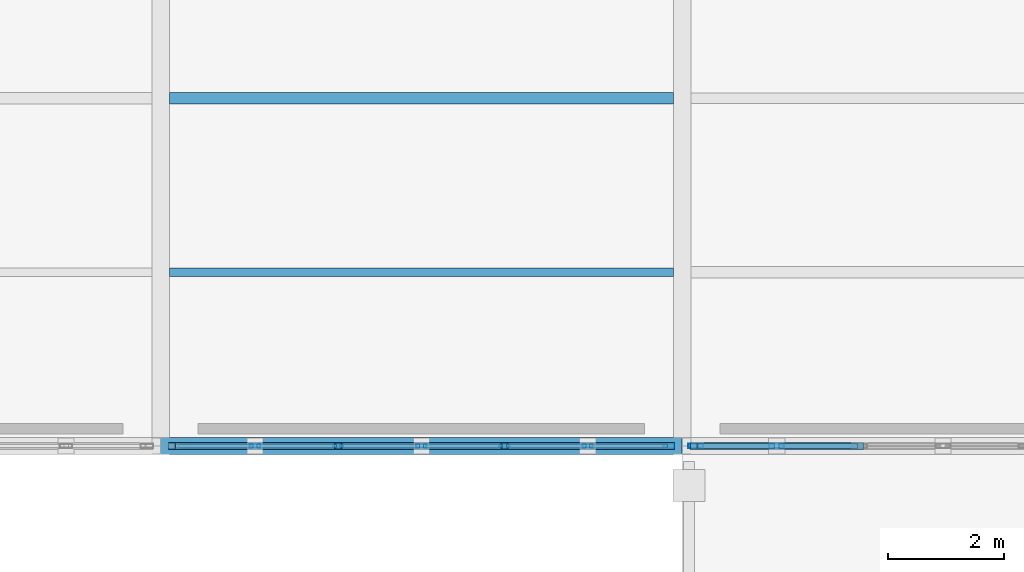
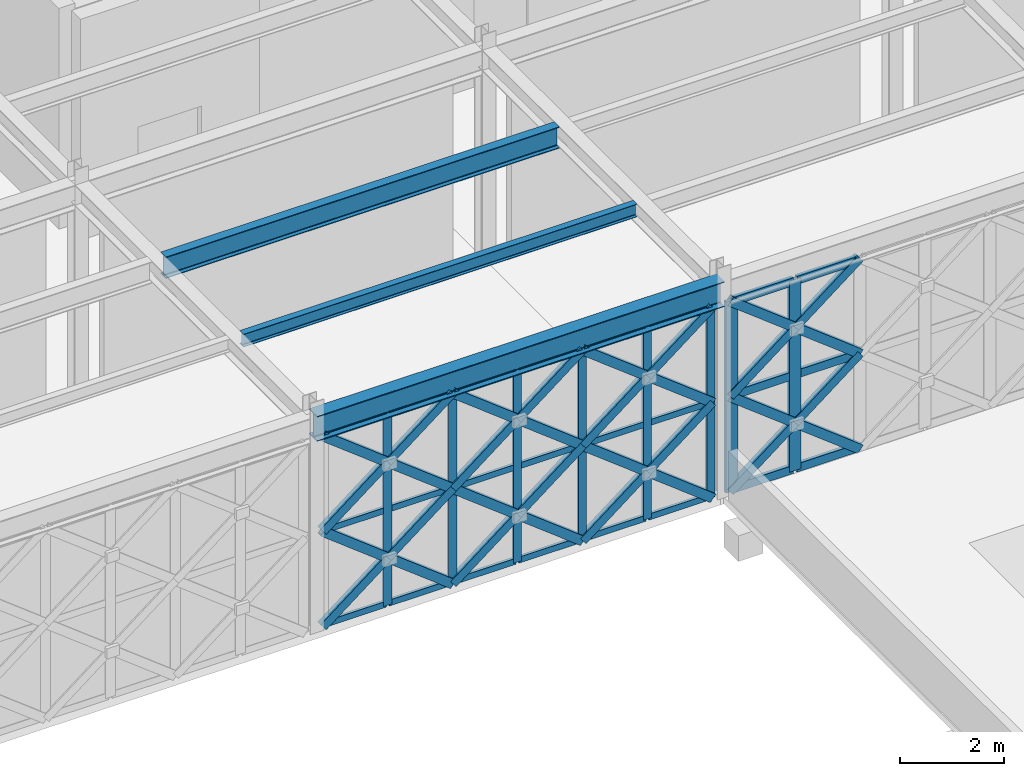
# One storey, part 103 of 155: 56 members, 3 beams, 2 elements without a shape of their own.
"""IFC4 building model written with IfcOpenShell, lengths in metres."""

from ifc_helpers import new_model, si_unit, direction, frame, origin, origin_2d, place, context, subcontext, project, spatial, hollow_rectangle, i_section, extrude, material, material_profile, profile_set, type_object, element, aggregate, save


model = new_model("IFC4")

# Units and contexts
model_context = context("Model", 3, precision=1e-05, world=origin(), true_north=direction((0.0, 1.0)))
body_context = subcontext(model_context, "Body", "Model", "MODEL_VIEW")
ifc_project = project(units=[si_unit("LENGTHUNIT", "METRE"), si_unit("AREAUNIT", "SQUARE_METRE"), si_unit("VOLUMEUNIT", "CUBIC_METRE"), si_unit("PLANEANGLEUNIT", "RADIAN"), si_unit("MASSUNIT", "GRAM", prefix="KILO")], contexts=[model_context])

# Site, building, storey
site_placement = place(None, origin())
site = spatial("IfcSite", under=ifc_project, at=site_placement, CompositionType="ELEMENT")
building_placement = place(site_placement, origin())
building = spatial("IfcBuilding", under=site, at=building_placement, Name="Haizhuo Lancet Aquarium", CompositionType="ELEMENT")
storey_placement = place(building_placement, frame((0.0, 0.0, 10.800048828125)))
storey = spatial("IfcBuildingStorey", under=building, at=storey_placement, Name="L02", CompositionType="ELEMENT", Elevation=10.800048828125)

# Beam
ifc_material_1 = material(Name="Steel S355", Category="steel")
ifc_material_profile_1 = material_profile(ifc_material_1, i_section(OverallWidth=0.300048828125, OverallDepth=0.587890625, WebThickness=0.011962890625, FlangeThickness=0.02001953125, FilletRadius=0.02587890625, at=origin_2d()), Name="HM 588x300x12x20")
ifc_profile_set_1 = profile_set([ifc_material_profile_1], Name="Steel S355")
beam_type_1 = type_object("IfcBeamType", Name="BM-ST-HM588", PredefinedType="BEAM", material=ifc_profile_set_1)
beam_1_placement = place(storey_placement, frame((45.0, 9.0, 4.755859375), z_axis=(1.0, 0.0, 0.0), x_axis=(0.0, 1.0, 0.0)))
element("IfcBeam", 1, at=beam_1_placement, inside=storey, type_object=beam_type_1, Name="L02 V7 primary girder BM-L02-V7-009", PredefinedType="BEAM", context=body_context, shape_type="SweptSolid", body=[
    extrude(i_section(OverallWidth=0.300048828125, OverallDepth=0.587890625, WebThickness=0.011962890625, FlangeThickness=0.02001953125, FilletRadius=0.02587890625, at=origin_2d()), origin(), (0.0, 0.0, 1.0), 9.0),
])

# Curtain wall, members
ifc_material_2 = material(Name="Aluminium 6063-T6", Category="aluminium")
curtain_wall_type = type_object("IfcCurtainWallType", Name="CWO-8610x4460", PredefinedType="NOTDEFINED", material=ifc_material_2)
curtain_wall_1_placement = place(storey_placement, origin())
curtain_wall_1 = element("IfcCurtainWall", 2, at=curtain_wall_1_placement, inside=storey, type_object=curtain_wall_type, Name="L02 curtain wall CW-V7-L02-307", PredefinedType="NOTDEFINED")
ifc_material_profile_2 = material_profile(ifc_material_2, hollow_rectangle(XDim=0.06494140625, YDim=0.179931640625, WallThickness=0.00390625, at=origin_2d()), Name="ALU-M 65x180x4")
ifc_profile_set_2 = profile_set([ifc_material_profile_2], Name="Aluminium 6063-T6")
member_type_1 = type_object("IfcMemberType", Name="CW-MUL-1", PredefinedType="MULLION", material=ifc_profile_set_2)
member_1_placement = place(storey_placement, frame((53.77294921875, 9.0, 0.0), z_axis=(0.0, 0.0, 1.0), x_axis=(0.0, -1.0, 0.0)))
member_1 = element("IfcMember", 3, at=member_1_placement, type_object=member_type_1, Name="CWO-86x44 mullion 1", PredefinedType="MULLION", context=body_context, shape_type="SweptSolid", body=[
    extrude(hollow_rectangle(XDim=0.06494140625, YDim=0.179931640625, WallThickness=0.00390625, at=origin_2d()), origin(), (0.0, 0.0, 1.0), 4.4619140625),
])
member_2_placement = place(storey_placement, frame((52.3701171875, 9.0, 0.0), z_axis=(0.0, 0.0, 1.0), x_axis=(0.0, -1.0, 0.0)))
member_2 = element("IfcMember", 4, at=member_2_placement, type_object=member_type_1, Name="CWO-86x44 mullion 2", PredefinedType="MULLION", context=body_context, shape_type="SweptSolid", body=[
    extrude(hollow_rectangle(XDim=0.06494140625, YDim=0.179931640625, WallThickness=0.00390625, at=origin_2d()), origin(), (0.0, 0.0, 1.0), 4.4619140625),
])
member_3_placement = place(storey_placement, frame((50.93505859375, 9.0, 0.0), z_axis=(0.0, 0.0, 1.0), x_axis=(0.0, -1.0, 0.0)))
member_3 = element("IfcMember", 5, at=member_3_placement, type_object=member_type_1, Name="CWO-86x44 mullion 3", PredefinedType="MULLION", context=body_context, shape_type="SweptSolid", body=[
    extrude(hollow_rectangle(XDim=0.06494140625, YDim=0.179931640625, WallThickness=0.00390625, at=origin_2d()), origin(), (0.0, 0.0, 1.0), 4.4619140625),
])
member_4_placement = place(storey_placement, frame((49.5, 9.0, 0.0), z_axis=(0.0, 0.0, 1.0), x_axis=(0.0, -1.0, 0.0)))
member_4 = element("IfcMember", 6, at=member_4_placement, type_object=member_type_1, Name="CWO-86x44 mullion 4", PredefinedType="MULLION", context=body_context, shape_type="SweptSolid", body=[
    extrude(hollow_rectangle(XDim=0.06494140625, YDim=0.179931640625, WallThickness=0.00390625, at=origin_2d()), origin(), (0.0, 0.0, 1.0), 4.4619140625),
])
member_5_placement = place(storey_placement, frame((48.06494140625, 9.0, 0.0), z_axis=(0.0, 0.0, 1.0), x_axis=(0.0, -1.0, 0.0)))
member_5 = element("IfcMember", 7, at=member_5_placement, type_object=member_type_1, Name="CWO-86x44 mullion 5", PredefinedType="MULLION", context=body_context, shape_type="SweptSolid", body=[
    extrude(hollow_rectangle(XDim=0.06494140625, YDim=0.179931640625, WallThickness=0.00390625, at=origin_2d()), origin(), (0.0, 0.0, 1.0), 4.4619140625),
])
member_6_placement = place(storey_placement, frame((46.6298828125, 9.0, 0.0), z_axis=(0.0, 0.0, 1.0), x_axis=(0.0, -1.0, 0.0)))
member_6 = element("IfcMember", 8, at=member_6_placement, type_object=member_type_1, Name="CWO-86x44 mullion 6", PredefinedType="MULLION", context=body_context, shape_type="SweptSolid", body=[
    extrude(hollow_rectangle(XDim=0.06494140625, YDim=0.179931640625, WallThickness=0.00390625, at=origin_2d()), origin(), (0.0, 0.0, 1.0), 4.4619140625),
])

curtain_wall_2_placement = place(storey_placement, origin())
curtain_wall_2 = element("IfcCurtainWall", 9, at=curtain_wall_2_placement, inside=storey, type_object=curtain_wall_type, Name="L02 curtain wall CW-V7-L02-306", PredefinedType="NOTDEFINED")
ifc_material_profile_3 = material_profile(ifc_material_2, hollow_rectangle(XDim=0.080078125, YDim=0.260009765625, WallThickness=0.0048828125, at=origin_2d()), Name="ALU-M 80x260x5")
ifc_profile_set_3 = profile_set([ifc_material_profile_3], Name="Aluminium 6063-T6")
member_type_2 = type_object("IfcMemberType", Name="CW-MUL-3", PredefinedType="MULLION", material=ifc_profile_set_3)
member_7_placement = place(storey_placement, frame((55.6298828125, 9.0, 0.0), z_axis=(0.0, 0.0, 1.0), x_axis=(0.0, -1.0, 0.0)))
member_7 = element("IfcMember", 10, at=member_7_placement, type_object=member_type_2, Name="CWO-86x44 mullion 6", PredefinedType="MULLION", context=body_context, shape_type="SweptSolid", body=[
    extrude(hollow_rectangle(XDim=0.080078125, YDim=0.260009765625, WallThickness=0.0048828125, at=origin_2d()), origin(), (0.0, 0.0, 1.0), 4.4619140625),
])
member_8_placement = place(storey_placement, frame((54.235107421875, 9.0, 0.0), z_axis=(0.0, 0.0, 1.0), x_axis=(0.0, -1.0, 0.0)))
member_8 = element("IfcMember", 11, at=member_8_placement, type_object=member_type_2, Name="CWO-86x44 mullion 7", PredefinedType="MULLION", context=body_context, shape_type="SweptSolid", body=[
    extrude(hollow_rectangle(XDim=0.080078125, YDim=0.260009765625, WallThickness=0.0048828125, at=origin_2d()), origin(), (0.0, 0.0, 1.0), 4.4619140625),
])

# Member
ifc_material_profile_4 = material_profile(ifc_material_2, hollow_rectangle(XDim=0.06494140625, YDim=0.139892578125, WallThickness=0.00390625, at=origin_2d()), Name="ALU-T 65x140x4")
ifc_profile_set_4 = profile_set([ifc_material_profile_4], Name="Aluminium 6063-T6")
member_type_3 = type_object("IfcMemberType", Name="CW-TRN-1", PredefinedType="NOTDEFINED", material=ifc_profile_set_4)
member_9_placement = place(storey_placement, frame((53.739990234375, 9.0, 0.032958984375), z_axis=(-1.0, 0.0, 0.0), x_axis=(0.0, -1.0, 0.0)))
member_9 = element("IfcMember", 12, at=member_9_placement, type_object=member_type_3, Name="CWO-86x44 transom 1.1", ObjectType="TRANSOM", PredefinedType="USERDEFINED", context=body_context, shape_type="SweptSolid", body=[
    extrude(hollow_rectangle(XDim=0.06494140625, YDim=0.139892578125, WallThickness=0.00390625, at=origin_2d()), origin(), (0.0, 0.0, 1.0), 1.3369140625),
])

member_10_placement = place(storey_placement, frame((53.739990234375, 9.0, 2.23095703125), z_axis=(-1.0, 0.0, 0.0), x_axis=(0.0, -1.0, 0.0)))
member_10 = element("IfcMember", 13, at=member_10_placement, type_object=member_type_3, Name="CWO-86x44 transom 1.2", ObjectType="TRANSOM", PredefinedType="USERDEFINED", context=body_context, shape_type="SweptSolid", body=[
    extrude(hollow_rectangle(XDim=0.06494140625, YDim=0.139892578125, WallThickness=0.00390625, at=origin_2d()), origin(), (0.0, 0.0, 1.0), 1.3369140625),
])

member_11_placement = place(storey_placement, frame((53.739990234375, 9.0, 4.428955078125), z_axis=(-1.0, 0.0, 0.0), x_axis=(0.0, -1.0, 0.0)))
member_11 = element("IfcMember", 14, at=member_11_placement, type_object=member_type_3, Name="CWO-86x44 transom 1.3", ObjectType="TRANSOM", PredefinedType="USERDEFINED", context=body_context, shape_type="SweptSolid", body=[
    extrude(hollow_rectangle(XDim=0.06494140625, YDim=0.139892578125, WallThickness=0.00390625, at=origin_2d()), origin(), (0.0, 0.0, 1.0), 1.3369140625),
])

member_12_placement = place(storey_placement, frame((52.3369140625, 9.0, 0.032958984375), z_axis=(-1.0, 0.0, 0.0), x_axis=(0.0, -1.0, 0.0)))
member_12 = element("IfcMember", 15, at=member_12_placement, type_object=member_type_3, Name="CWO-86x44 transom 2.1", ObjectType="TRANSOM", PredefinedType="USERDEFINED", context=body_context, shape_type="SweptSolid", body=[
    extrude(hollow_rectangle(XDim=0.06494140625, YDim=0.139892578125, WallThickness=0.00390625, at=origin_2d()), origin(), (0.0, 0.0, 1.0), 1.368896484375),
])

member_13_placement = place(storey_placement, frame((52.3369140625, 9.0, 2.23095703125), z_axis=(-1.0, 0.0, 0.0), x_axis=(0.0, -1.0, 0.0)))
member_13 = element("IfcMember", 16, at=member_13_placement, type_object=member_type_3, Name="CWO-86x44 transom 2.2", ObjectType="TRANSOM", PredefinedType="USERDEFINED", context=body_context, shape_type="SweptSolid", body=[
    extrude(hollow_rectangle(XDim=0.06494140625, YDim=0.139892578125, WallThickness=0.00390625, at=origin_2d()), origin(), (0.0, 0.0, 1.0), 1.368896484375),
])

member_14_placement = place(storey_placement, frame((52.3369140625, 9.0, 4.428955078125), z_axis=(-1.0, 0.0, 0.0), x_axis=(0.0, -1.0, 0.0)))
member_14 = element("IfcMember", 17, at=member_14_placement, type_object=member_type_3, Name="CWO-86x44 transom 2.3", ObjectType="TRANSOM", PredefinedType="USERDEFINED", context=body_context, shape_type="SweptSolid", body=[
    extrude(hollow_rectangle(XDim=0.06494140625, YDim=0.139892578125, WallThickness=0.00390625, at=origin_2d()), origin(), (0.0, 0.0, 1.0), 1.368896484375),
])

member_15_placement = place(storey_placement, frame((50.903076171875, 9.0, 0.032958984375), z_axis=(-1.0, 0.0, 0.0), x_axis=(0.0, -1.0, 0.0)))
member_15 = element("IfcMember", 18, at=member_15_placement, type_object=member_type_3, Name="CWO-86x44 transom 3.1", ObjectType="TRANSOM", PredefinedType="USERDEFINED", context=body_context, shape_type="SweptSolid", body=[
    extrude(hollow_rectangle(XDim=0.06494140625, YDim=0.139892578125, WallThickness=0.00390625, at=origin_2d()), origin(), (0.0, 0.0, 1.0), 1.37109375),
])

member_16_placement = place(storey_placement, frame((50.903076171875, 9.0, 2.23095703125), z_axis=(-1.0, 0.0, 0.0), x_axis=(0.0, -1.0, 0.0)))
member_16 = element("IfcMember", 19, at=member_16_placement, type_object=member_type_3, Name="CWO-86x44 transom 3.2", ObjectType="TRANSOM", PredefinedType="USERDEFINED", context=body_context, shape_type="SweptSolid", body=[
    extrude(hollow_rectangle(XDim=0.06494140625, YDim=0.139892578125, WallThickness=0.00390625, at=origin_2d()), origin(), (0.0, 0.0, 1.0), 1.37109375),
])

member_17_placement = place(storey_placement, frame((50.903076171875, 9.0, 4.428955078125), z_axis=(-1.0, 0.0, 0.0), x_axis=(0.0, -1.0, 0.0)))
member_17 = element("IfcMember", 20, at=member_17_placement, type_object=member_type_3, Name="CWO-86x44 transom 3.3", ObjectType="TRANSOM", PredefinedType="USERDEFINED", context=body_context, shape_type="SweptSolid", body=[
    extrude(hollow_rectangle(XDim=0.06494140625, YDim=0.139892578125, WallThickness=0.00390625, at=origin_2d()), origin(), (0.0, 0.0, 1.0), 1.37109375),
])

member_18_placement = place(storey_placement, frame((49.468017578125, 9.0, 0.032958984375), z_axis=(-1.0, 0.0, 0.0), x_axis=(0.0, -1.0, 0.0)))
member_18 = element("IfcMember", 21, at=member_18_placement, type_object=member_type_3, Name="CWO-86x44 transom 4.1", ObjectType="TRANSOM", PredefinedType="USERDEFINED", context=body_context, shape_type="SweptSolid", body=[
    extrude(hollow_rectangle(XDim=0.06494140625, YDim=0.139892578125, WallThickness=0.00390625, at=origin_2d()), origin(), (0.0, 0.0, 1.0), 1.37109375),
])

member_19_placement = place(storey_placement, frame((49.468017578125, 9.0, 2.23095703125), z_axis=(-1.0, 0.0, 0.0), x_axis=(0.0, -1.0, 0.0)))
member_19 = element("IfcMember", 22, at=member_19_placement, type_object=member_type_3, Name="CWO-86x44 transom 4.2", ObjectType="TRANSOM", PredefinedType="USERDEFINED", context=body_context, shape_type="SweptSolid", body=[
    extrude(hollow_rectangle(XDim=0.06494140625, YDim=0.139892578125, WallThickness=0.00390625, at=origin_2d()), origin(), (0.0, 0.0, 1.0), 1.37109375),
])

member_20_placement = place(storey_placement, frame((49.468017578125, 9.0, 4.428955078125), z_axis=(-1.0, 0.0, 0.0), x_axis=(0.0, -1.0, 0.0)))
member_20 = element("IfcMember", 23, at=member_20_placement, type_object=member_type_3, Name="CWO-86x44 transom 4.3", ObjectType="TRANSOM", PredefinedType="USERDEFINED", context=body_context, shape_type="SweptSolid", body=[
    extrude(hollow_rectangle(XDim=0.06494140625, YDim=0.139892578125, WallThickness=0.00390625, at=origin_2d()), origin(), (0.0, 0.0, 1.0), 1.37109375),
])

member_21_placement = place(storey_placement, frame((48.031982421875, 9.0, 0.032958984375), z_axis=(-1.0, 0.0, 0.0), x_axis=(0.0, -1.0, 0.0)))
member_21 = element("IfcMember", 24, at=member_21_placement, type_object=member_type_3, Name="CWO-86x44 transom 5.1", ObjectType="TRANSOM", PredefinedType="USERDEFINED", context=body_context, shape_type="SweptSolid", body=[
    extrude(hollow_rectangle(XDim=0.06494140625, YDim=0.139892578125, WallThickness=0.00390625, at=origin_2d()), origin(), (0.0, 0.0, 1.0), 1.368896484375),
])

member_22_placement = place(storey_placement, frame((48.031982421875, 9.0, 2.23095703125), z_axis=(-1.0, 0.0, 0.0), x_axis=(0.0, -1.0, 0.0)))
member_22 = element("IfcMember", 25, at=member_22_placement, type_object=member_type_3, Name="CWO-86x44 transom 5.2", ObjectType="TRANSOM", PredefinedType="USERDEFINED", context=body_context, shape_type="SweptSolid", body=[
    extrude(hollow_rectangle(XDim=0.06494140625, YDim=0.139892578125, WallThickness=0.00390625, at=origin_2d()), origin(), (0.0, 0.0, 1.0), 1.368896484375),
])

member_23_placement = place(storey_placement, frame((48.031982421875, 9.0, 4.428955078125), z_axis=(-1.0, 0.0, 0.0), x_axis=(0.0, -1.0, 0.0)))
member_23 = element("IfcMember", 26, at=member_23_placement, type_object=member_type_3, Name="CWO-86x44 transom 5.3", ObjectType="TRANSOM", PredefinedType="USERDEFINED", context=body_context, shape_type="SweptSolid", body=[
    extrude(hollow_rectangle(XDim=0.06494140625, YDim=0.139892578125, WallThickness=0.00390625, at=origin_2d()), origin(), (0.0, 0.0, 1.0), 1.368896484375),
])

member_24_placement = place(storey_placement, frame((46.597900390625, 9.0, 0.032958984375), z_axis=(-1.0, 0.0, 0.0), x_axis=(0.0, -1.0, 0.0)))
member_24 = element("IfcMember", 27, at=member_24_placement, type_object=member_type_3, Name="CWO-86x44 transom 6.1", ObjectType="TRANSOM", PredefinedType="USERDEFINED", context=body_context, shape_type="SweptSolid", body=[
    extrude(hollow_rectangle(XDim=0.06494140625, YDim=0.139892578125, WallThickness=0.00390625, at=origin_2d()), origin(), (0.0, 0.0, 1.0), 1.337890625),
])

member_25_placement = place(storey_placement, frame((46.597900390625, 9.0, 2.23095703125), z_axis=(-1.0, 0.0, 0.0), x_axis=(0.0, -1.0, 0.0)))
member_25 = element("IfcMember", 28, at=member_25_placement, type_object=member_type_3, Name="CWO-86x44 transom 6.2", ObjectType="TRANSOM", PredefinedType="USERDEFINED", context=body_context, shape_type="SweptSolid", body=[
    extrude(hollow_rectangle(XDim=0.06494140625, YDim=0.139892578125, WallThickness=0.00390625, at=origin_2d()), origin(), (0.0, 0.0, 1.0), 1.337890625),
])

member_26_placement = place(storey_placement, frame((46.597900390625, 9.0, 4.428955078125), z_axis=(-1.0, 0.0, 0.0), x_axis=(0.0, -1.0, 0.0)))
member_26 = element("IfcMember", 29, at=member_26_placement, type_object=member_type_3, Name="CWO-86x44 transom 6.3", ObjectType="TRANSOM", PredefinedType="USERDEFINED", context=body_context, shape_type="SweptSolid", body=[
    extrude(hollow_rectangle(XDim=0.06494140625, YDim=0.139892578125, WallThickness=0.00390625, at=origin_2d()), origin(), (0.0, 0.0, 1.0), 1.337890625),
])

aggregate(curtain_wall_1, [member_1, member_2, member_3, member_4, member_5, member_6, member_9, member_10, member_11, member_12, member_13, member_14, member_15, member_16, member_17, member_18, member_19, member_20, member_21, member_22, member_23, member_24, member_25, member_26])

ifc_material_profile_5 = material_profile(ifc_material_2, hollow_rectangle(XDim=0.080078125, YDim=0.18994140625, WallThickness=0.0048828125, at=origin_2d()), Name="ALU-T 80x190x5")
ifc_profile_set_5 = profile_set([ifc_material_profile_5], Name="Aluminium 6063-T6")
member_type_4 = type_object("IfcMemberType", Name="CW-TRN-3", PredefinedType="NOTDEFINED", material=ifc_profile_set_5)
member_27_placement = place(storey_placement, frame((57.02490234375, 9.0, 0.0400390625), z_axis=(-1.0, 0.0, 0.0), x_axis=(0.0, -1.0, 0.0)))
member_27 = element("IfcMember", 30, at=member_27_placement, type_object=member_type_4, Name="CWO-86x44 transom 5.1", ObjectType="TRANSOM", PredefinedType="USERDEFINED", context=body_context, shape_type="SweptSolid", body=[
    extrude(hollow_rectangle(XDim=0.080078125, YDim=0.18994140625, WallThickness=0.0048828125, at=origin_2d()), origin(), (0.0, 0.0, 1.0), 1.35498046875),
])

member_28_placement = place(storey_placement, frame((57.02490234375, 9.0, 2.23095703125), z_axis=(-1.0, 0.0, 0.0), x_axis=(0.0, -1.0, 0.0)))
member_28 = element("IfcMember", 31, at=member_28_placement, type_object=member_type_4, Name="CWO-86x44 transom 5.2", ObjectType="TRANSOM", PredefinedType="USERDEFINED", context=body_context, shape_type="SweptSolid", body=[
    extrude(hollow_rectangle(XDim=0.080078125, YDim=0.18994140625, WallThickness=0.0048828125, at=origin_2d()), origin(), (0.0, 0.0, 1.0), 1.35498046875),
])

member_29_placement = place(storey_placement, frame((57.02490234375, 9.0, 4.421875), z_axis=(-1.0, 0.0, 0.0), x_axis=(0.0, -1.0, 0.0)))
member_29 = element("IfcMember", 32, at=member_29_placement, type_object=member_type_4, Name="CWO-86x44 transom 5.3", ObjectType="TRANSOM", PredefinedType="USERDEFINED", context=body_context, shape_type="SweptSolid", body=[
    extrude(hollow_rectangle(XDim=0.080078125, YDim=0.18994140625, WallThickness=0.0048828125, at=origin_2d()), origin(), (0.0, 0.0, 1.0), 1.35498046875),
])

member_30_placement = place(storey_placement, frame((55.590087890625, 9.0, 0.0400390625), z_axis=(-1.0, 0.0, 0.0), x_axis=(0.0, -1.0, 0.0)))
member_30 = element("IfcMember", 33, at=member_30_placement, type_object=member_type_4, Name="CWO-86x44 transom 6.1", ObjectType="TRANSOM", PredefinedType="USERDEFINED", context=body_context, shape_type="SweptSolid", body=[
    extrude(hollow_rectangle(XDim=0.080078125, YDim=0.18994140625, WallThickness=0.0048828125, at=origin_2d()), origin(), (0.0, 0.0, 1.0), 1.315185546875),
])

member_31_placement = place(storey_placement, frame((55.590087890625, 9.0, 2.23095703125), z_axis=(-1.0, 0.0, 0.0), x_axis=(0.0, -1.0, 0.0)))
member_31 = element("IfcMember", 34, at=member_31_placement, type_object=member_type_4, Name="CWO-86x44 transom 6.2", ObjectType="TRANSOM", PredefinedType="USERDEFINED", context=body_context, shape_type="SweptSolid", body=[
    extrude(hollow_rectangle(XDim=0.080078125, YDim=0.18994140625, WallThickness=0.0048828125, at=origin_2d()), origin(), (0.0, 0.0, 1.0), 1.315185546875),
])

member_32_placement = place(storey_placement, frame((55.590087890625, 9.0, 4.421875), z_axis=(-1.0, 0.0, 0.0), x_axis=(0.0, -1.0, 0.0)))
member_32 = element("IfcMember", 35, at=member_32_placement, type_object=member_type_4, Name="CWO-86x44 transom 6.3", ObjectType="TRANSOM", PredefinedType="USERDEFINED", context=body_context, shape_type="SweptSolid", body=[
    extrude(hollow_rectangle(XDim=0.080078125, YDim=0.18994140625, WallThickness=0.0048828125, at=origin_2d()), origin(), (0.0, 0.0, 1.0), 1.315185546875),
])

aggregate(curtain_wall_2, [member_7, member_8, member_27, member_28, member_29, member_30, member_31, member_32])

# Beams
ifc_material_profile_6 = material_profile(ifc_material_1, i_section(OverallWidth=0.14990234375, OverallDepth=0.300048828125, WebThickness=0.006591796875, FlangeThickness=0.009033203125, FilletRadius=0.012939453125, at=origin_2d()), Name="HN 300x150x6.5x9")
ifc_profile_set_6 = profile_set([ifc_material_profile_6], Name="Steel S355")
beam_type_2 = type_object("IfcBeamType", Name="JST-ST-HN300", PredefinedType="JOIST", material=ifc_profile_set_6)
beam_2_placement = place(storey_placement, frame((45.14990234375, 12.0, 4.89990234375), z_axis=(1.0, 0.0, 0.0), x_axis=(0.0, 1.0, 0.0)))
element("IfcBeam", 36, at=beam_2_placement, inside=storey, type_object=beam_type_2, Name="L02 V7 secondary floor joist 6", PredefinedType="JOIST", context=body_context, shape_type="SweptSolid", body=[
    extrude(i_section(OverallWidth=0.14990234375, OverallDepth=0.300048828125, WebThickness=0.006591796875, FlangeThickness=0.009033203125, FilletRadius=0.012939453125, at=origin_2d()), origin(), (0.0, 0.0, 1.0), 8.7001953125),
])
ifc_material_profile_7 = material_profile(ifc_material_1, i_section(OverallWidth=0.199951171875, OverallDepth=0.5, WebThickness=0.010009765625, FlangeThickness=0.01611328125, FilletRadius=0.02001953125, at=origin_2d()), Name="HN 500x200x10x16")
ifc_profile_set_7 = profile_set([ifc_material_profile_7], Name="Steel S355")
beam_type_3 = type_object("IfcBeamType", Name="JST-ST-HN500", PredefinedType="JOIST", material=ifc_profile_set_7)
beam_3_placement = place(storey_placement, frame((45.14990234375, 15.0, 4.800048828125), z_axis=(1.0, 0.0, 0.0), x_axis=(0.0, 1.0, 0.0)))
element("IfcBeam", 37, at=beam_3_placement, inside=storey, type_object=beam_type_3, Name="L02 V7 secondary floor joist 7", PredefinedType="JOIST", context=body_context, shape_type="SweptSolid", body=[
    extrude(i_section(OverallWidth=0.199951171875, OverallDepth=0.5, WebThickness=0.010009765625, FlangeThickness=0.01611328125, FilletRadius=0.02001953125, at=origin_2d()), origin(), (0.0, 0.0, 1.0), 8.7001953125),
])

# Members
ifc_material_profile_8 = material_profile(ifc_material_1, hollow_rectangle(XDim=0.1201171875, YDim=0.199951171875, WallThickness=0.008056640625, at=origin_2d()), Name="RHS 120x200x8")
ifc_profile_set_8 = profile_set([ifc_material_profile_8], Name="Steel S355")
member_type_5 = type_object("IfcMemberType", Name="MEM-LB-RHS120x200", PredefinedType="BRACE", material=ifc_profile_set_8)
member_33_placement = place(storey_placement, frame((57.06494140625, 9.0, 0.0), z_axis=(-0.789507701538, 0.0, 0.613740653055), x_axis=(0.0, -1.0, 0.0)))
element("IfcMember", 38, at=member_33_placement, inside=storey, type_object=member_type_5, Name="Gothic lancet continuous diagonal brace CW-V7-L02-306 5A", PredefinedType="BRACE", context=body_context, shape_type="SweptSolid", body=[
    extrude(hollow_rectangle(XDim=0.1201171875, YDim=0.199951171875, WallThickness=0.008056640625, at=origin_2d()), origin(), (0.0, 0.0, 1.0), 3.635009765625),
])
member_34_placement = place(storey_placement, frame((54.195068359375, 9.0, 0.0), z_axis=(0.789352217376, 0.0, 0.613940613515), x_axis=(0.0, 1.0, 0.0)))
element("IfcMember", 39, at=member_34_placement, inside=storey, type_object=member_type_5, Name="Gothic lancet split diagonal brace CW-V7-L02-306 5B1", PredefinedType="BRACE", context=body_context, shape_type="SweptSolid", body=[
    extrude(hollow_rectangle(XDim=0.1201171875, YDim=0.199951171875, WallThickness=0.008056640625, at=origin_2d()), origin(), (0.0, 0.0, 1.0), 1.817626953125),
])
member_35_placement = place(storey_placement, frame((55.6298828125, 9.0, 1.115966796875), z_axis=(0.789663169817, 0.0, 0.613540608464), x_axis=(0.0, 1.0, 0.0)))
element("IfcMember", 40, at=member_35_placement, inside=storey, type_object=member_type_5, Name="Gothic lancet split diagonal brace CW-V7-L02-306 5B2", PredefinedType="BRACE", context=body_context, shape_type="SweptSolid", body=[
    extrude(hollow_rectangle(XDim=0.1201171875, YDim=0.199951171875, WallThickness=0.008056640625, at=origin_2d()), origin(), (0.0, 0.0, 1.0), 1.8173828125),
])
member_36_placement = place(storey_placement, frame((57.06494140625, 9.0, 2.23095703125), z_axis=(-0.789507701538, 0.0, 0.613740653055), x_axis=(0.0, -1.0, 0.0)))
element("IfcMember", 41, at=member_36_placement, inside=storey, type_object=member_type_5, Name="Gothic lancet continuous diagonal brace CW-V7-L02-306 6A", PredefinedType="BRACE", context=body_context, shape_type="SweptSolid", body=[
    extrude(hollow_rectangle(XDim=0.1201171875, YDim=0.199951171875, WallThickness=0.008056640625, at=origin_2d()), origin(), (0.0, 0.0, 1.0), 3.635009765625),
])
member_37_placement = place(storey_placement, frame((54.195068359375, 9.0, 2.23095703125), z_axis=(0.789612591073, 0.0, 0.613605700771), x_axis=(0.0, 1.0, 0.0)))
element("IfcMember", 42, at=member_37_placement, inside=storey, type_object=member_type_5, Name="Gothic lancet split diagonal brace CW-V7-L02-306 6B1", PredefinedType="BRACE", context=body_context, shape_type="SweptSolid", body=[
    extrude(hollow_rectangle(XDim=0.1201171875, YDim=0.199951171875, WallThickness=0.008056640625, at=origin_2d()), origin(), (0.0, 0.0, 1.0), 1.817138671875),
])
member_38_placement = place(storey_placement, frame((55.6298828125, 9.0, 3.345947265625), z_axis=(0.789402834657, 0.0, 0.613875528618), x_axis=(0.0, 1.0, 0.0)))
element("IfcMember", 43, at=member_38_placement, inside=storey, type_object=member_type_5, Name="Gothic lancet split diagonal brace CW-V7-L02-306 6B2", PredefinedType="BRACE", context=body_context, shape_type="SweptSolid", body=[
    extrude(hollow_rectangle(XDim=0.1201171875, YDim=0.199951171875, WallThickness=0.008056640625, at=origin_2d()), origin(), (0.0, 0.0, 1.0), 1.81787109375),
])
member_39_placement = place(storey_placement, frame((53.804931640625, 9.0, 0.0), z_axis=(-0.789507701538, 0.0, 0.613740653055), x_axis=(0.0, -1.0, 0.0)))
element("IfcMember", 44, at=member_39_placement, inside=storey, type_object=member_type_5, Name="Gothic lancet continuous diagonal brace CW-V7-L02-307 1A", PredefinedType="BRACE", context=body_context, shape_type="SweptSolid", body=[
    extrude(hollow_rectangle(XDim=0.1201171875, YDim=0.199951171875, WallThickness=0.008056640625, at=origin_2d()), origin(), (0.0, 0.0, 1.0), 3.635009765625),
])
member_40_placement = place(storey_placement, frame((50.93505859375, 9.0, 0.0), z_axis=(0.789402834657, 0.0, 0.613875528618), x_axis=(0.0, 1.0, 0.0)))
element("IfcMember", 45, at=member_40_placement, inside=storey, type_object=member_type_5, Name="Gothic lancet split diagonal brace CW-V7-L02-307 1B1", PredefinedType="BRACE", context=body_context, shape_type="SweptSolid", body=[
    extrude(hollow_rectangle(XDim=0.1201171875, YDim=0.199951171875, WallThickness=0.008056640625, at=origin_2d()), origin(), (0.0, 0.0, 1.0), 1.81787109375),
])
member_41_placement = place(storey_placement, frame((52.3701171875, 9.0, 1.115966796875), z_axis=(0.789612591073, 0.0, 0.613605700771), x_axis=(0.0, 1.0, 0.0)))
element("IfcMember", 46, at=member_41_placement, inside=storey, type_object=member_type_5, Name="Gothic lancet split diagonal brace CW-V7-L02-307 1B2", PredefinedType="BRACE", context=body_context, shape_type="SweptSolid", body=[
    extrude(hollow_rectangle(XDim=0.1201171875, YDim=0.199951171875, WallThickness=0.008056640625, at=origin_2d()), origin(), (0.0, 0.0, 1.0), 1.817138671875),
])
member_42_placement = place(storey_placement, frame((53.804931640625, 9.0, 2.23095703125), z_axis=(-0.789507701538, 0.0, 0.613740653055), x_axis=(0.0, -1.0, 0.0)))
element("IfcMember", 47, at=member_42_placement, inside=storey, type_object=member_type_5, Name="Gothic lancet continuous diagonal brace CW-V7-L02-307 2A", PredefinedType="BRACE", context=body_context, shape_type="SweptSolid", body=[
    extrude(hollow_rectangle(XDim=0.1201171875, YDim=0.199951171875, WallThickness=0.008056640625, at=origin_2d()), origin(), (0.0, 0.0, 1.0), 3.635009765625),
])
member_43_placement = place(storey_placement, frame((50.93505859375, 9.0, 2.23095703125), z_axis=(0.789663169817, 0.0, 0.613540608464), x_axis=(0.0, 1.0, 0.0)))
element("IfcMember", 48, at=member_43_placement, inside=storey, type_object=member_type_5, Name="Gothic lancet split diagonal brace CW-V7-L02-307 2B1", PredefinedType="BRACE", context=body_context, shape_type="SweptSolid", body=[
    extrude(hollow_rectangle(XDim=0.1201171875, YDim=0.199951171875, WallThickness=0.008056640625, at=origin_2d()), origin(), (0.0, 0.0, 1.0), 1.8173828125),
])
member_44_placement = place(storey_placement, frame((52.3701171875, 9.0, 3.345947265625), z_axis=(0.789352217376, 0.0, 0.613940613515), x_axis=(0.0, 1.0, 0.0)))
element("IfcMember", 49, at=member_44_placement, inside=storey, type_object=member_type_5, Name="Gothic lancet split diagonal brace CW-V7-L02-307 2B2", PredefinedType="BRACE", context=body_context, shape_type="SweptSolid", body=[
    extrude(hollow_rectangle(XDim=0.1201171875, YDim=0.199951171875, WallThickness=0.008056640625, at=origin_2d()), origin(), (0.0, 0.0, 1.0), 1.817626953125),
])
member_45_placement = place(storey_placement, frame((50.93505859375, 9.0, 0.0), z_axis=(-0.789532998536, 0.0, 0.613708109954), x_axis=(0.0, -1.0, 0.0)))
element("IfcMember", 50, at=member_45_placement, inside=storey, type_object=member_type_5, Name="Gothic lancet continuous diagonal brace CW-V7-L02-307 3A", PredefinedType="BRACE", context=body_context, shape_type="SweptSolid", body=[
    extrude(hollow_rectangle(XDim=0.1201171875, YDim=0.199951171875, WallThickness=0.008056640625, at=origin_2d()), origin(), (0.0, 0.0, 1.0), 3.63525390625),
])
member_46_placement = place(storey_placement, frame((48.06494140625, 9.0, 0.0), z_axis=(0.789402834657, 0.0, 0.613875528618), x_axis=(0.0, 1.0, 0.0)))
element("IfcMember", 51, at=member_46_placement, inside=storey, type_object=member_type_5, Name="Gothic lancet split diagonal brace CW-V7-L02-307 3B1", PredefinedType="BRACE", context=body_context, shape_type="SweptSolid", body=[
    extrude(hollow_rectangle(XDim=0.1201171875, YDim=0.199951171875, WallThickness=0.008056640625, at=origin_2d()), origin(), (0.0, 0.0, 1.0), 1.81787109375),
])
member_47_placement = place(storey_placement, frame((49.5, 9.0, 1.115966796875), z_axis=(0.789663169817, 0.0, 0.613540608464), x_axis=(0.0, 1.0, 0.0)))
element("IfcMember", 52, at=member_47_placement, inside=storey, type_object=member_type_5, Name="Gothic lancet split diagonal brace CW-V7-L02-307 3B2", PredefinedType="BRACE", context=body_context, shape_type="SweptSolid", body=[
    extrude(hollow_rectangle(XDim=0.1201171875, YDim=0.199951171875, WallThickness=0.008056640625, at=origin_2d()), origin(), (0.0, 0.0, 1.0), 1.8173828125),
])
member_48_placement = place(storey_placement, frame((50.93505859375, 9.0, 2.23095703125), z_axis=(-0.789532998536, 0.0, 0.613708109954), x_axis=(0.0, -1.0, 0.0)))
element("IfcMember", 53, at=member_48_placement, inside=storey, type_object=member_type_5, Name="Gothic lancet continuous diagonal brace CW-V7-L02-307 4A", PredefinedType="BRACE", context=body_context, shape_type="SweptSolid", body=[
    extrude(hollow_rectangle(XDim=0.1201171875, YDim=0.199951171875, WallThickness=0.008056640625, at=origin_2d()), origin(), (0.0, 0.0, 1.0), 3.63525390625),
])
member_49_placement = place(storey_placement, frame((48.06494140625, 9.0, 2.23095703125), z_axis=(0.789663169817, 0.0, 0.613540608464), x_axis=(0.0, 1.0, 0.0)))
element("IfcMember", 54, at=member_49_placement, inside=storey, type_object=member_type_5, Name="Gothic lancet split diagonal brace CW-V7-L02-307 4B1", PredefinedType="BRACE", context=body_context, shape_type="SweptSolid", body=[
    extrude(hollow_rectangle(XDim=0.1201171875, YDim=0.199951171875, WallThickness=0.008056640625, at=origin_2d()), origin(), (0.0, 0.0, 1.0), 1.8173828125),
])
member_50_placement = place(storey_placement, frame((49.5, 9.0, 3.345947265625), z_axis=(0.789402834657, 0.0, 0.613875528618), x_axis=(0.0, 1.0, 0.0)))
element("IfcMember", 55, at=member_50_placement, inside=storey, type_object=member_type_5, Name="Gothic lancet split diagonal brace CW-V7-L02-307 4B2", PredefinedType="BRACE", context=body_context, shape_type="SweptSolid", body=[
    extrude(hollow_rectangle(XDim=0.1201171875, YDim=0.199951171875, WallThickness=0.008056640625, at=origin_2d()), origin(), (0.0, 0.0, 1.0), 1.81787109375),
])
member_51_placement = place(storey_placement, frame((48.06494140625, 9.0, 0.0), z_axis=(-0.789507701538, 0.0, 0.613740653055), x_axis=(0.0, -1.0, 0.0)))
element("IfcMember", 56, at=member_51_placement, inside=storey, type_object=member_type_5, Name="Gothic lancet continuous diagonal brace CW-V7-L02-307 5A", PredefinedType="BRACE", context=body_context, shape_type="SweptSolid", body=[
    extrude(hollow_rectangle(XDim=0.1201171875, YDim=0.199951171875, WallThickness=0.008056640625, at=origin_2d()), origin(), (0.0, 0.0, 1.0), 3.635009765625),
])
member_52_placement = place(storey_placement, frame((45.195068359375, 9.0, 0.0), z_axis=(0.789352217376, 0.0, 0.613940613515), x_axis=(0.0, 1.0, 0.0)))
element("IfcMember", 57, at=member_52_placement, inside=storey, type_object=member_type_5, Name="Gothic lancet split diagonal brace CW-V7-L02-307 5B1", PredefinedType="BRACE", context=body_context, shape_type="SweptSolid", body=[
    extrude(hollow_rectangle(XDim=0.1201171875, YDim=0.199951171875, WallThickness=0.008056640625, at=origin_2d()), origin(), (0.0, 0.0, 1.0), 1.817626953125),
])
member_53_placement = place(storey_placement, frame((46.6298828125, 9.0, 1.115966796875), z_axis=(0.789663169817, 0.0, 0.613540608464), x_axis=(0.0, 1.0, 0.0)))
element("IfcMember", 58, at=member_53_placement, inside=storey, type_object=member_type_5, Name="Gothic lancet split diagonal brace CW-V7-L02-307 5B2", PredefinedType="BRACE", context=body_context, shape_type="SweptSolid", body=[
    extrude(hollow_rectangle(XDim=0.1201171875, YDim=0.199951171875, WallThickness=0.008056640625, at=origin_2d()), origin(), (0.0, 0.0, 1.0), 1.8173828125),
])
member_54_placement = place(storey_placement, frame((48.06494140625, 9.0, 2.23095703125), z_axis=(-0.789507701538, 0.0, 0.613740653055), x_axis=(0.0, -1.0, 0.0)))
element("IfcMember", 59, at=member_54_placement, inside=storey, type_object=member_type_5, Name="Gothic lancet continuous diagonal brace CW-V7-L02-307 6A", PredefinedType="BRACE", context=body_context, shape_type="SweptSolid", body=[
    extrude(hollow_rectangle(XDim=0.1201171875, YDim=0.199951171875, WallThickness=0.008056640625, at=origin_2d()), origin(), (0.0, 0.0, 1.0), 3.635009765625),
])
member_55_placement = place(storey_placement, frame((45.195068359375, 9.0, 2.23095703125), z_axis=(0.789612591073, 0.0, 0.613605700771), x_axis=(0.0, 1.0, 0.0)))
element("IfcMember", 60, at=member_55_placement, inside=storey, type_object=member_type_5, Name="Gothic lancet split diagonal brace CW-V7-L02-307 6B1", PredefinedType="BRACE", context=body_context, shape_type="SweptSolid", body=[
    extrude(hollow_rectangle(XDim=0.1201171875, YDim=0.199951171875, WallThickness=0.008056640625, at=origin_2d()), origin(), (0.0, 0.0, 1.0), 1.817138671875),
])
member_56_placement = place(storey_placement, frame((46.6298828125, 9.0, 3.345947265625), z_axis=(0.789402834657, 0.0, 0.613875528618), x_axis=(0.0, 1.0, 0.0)))
element("IfcMember", 61, at=member_56_placement, inside=storey, type_object=member_type_5, Name="Gothic lancet split diagonal brace CW-V7-L02-307 6B2", PredefinedType="BRACE", context=body_context, shape_type="SweptSolid", body=[
    extrude(hollow_rectangle(XDim=0.1201171875, YDim=0.199951171875, WallThickness=0.008056640625, at=origin_2d()), origin(), (0.0, 0.0, 1.0), 1.81787109375),
])

save(model, "model.ifc")
